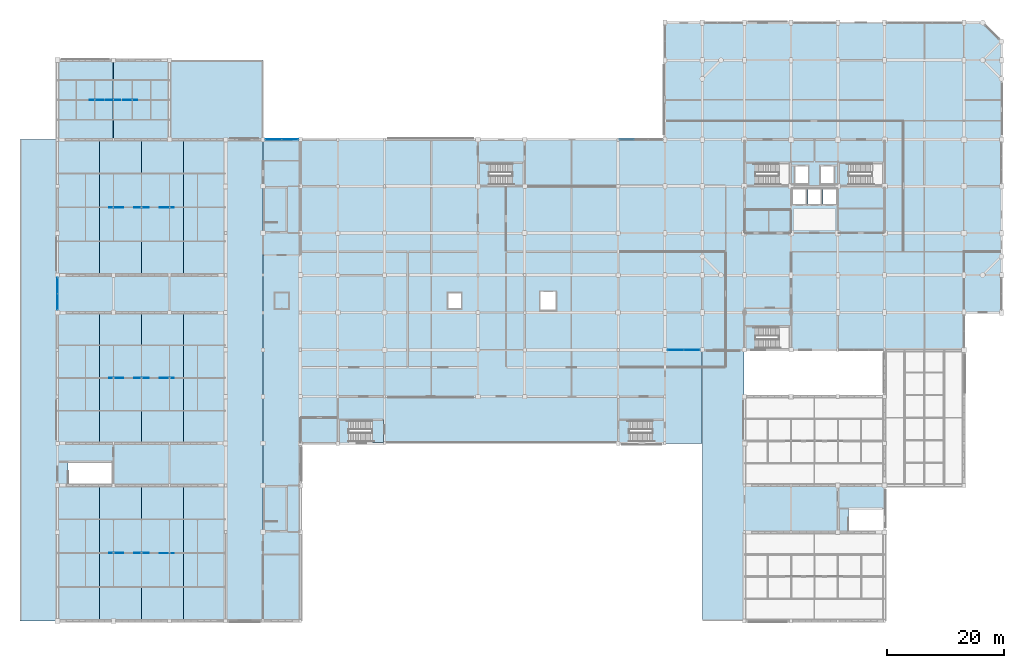
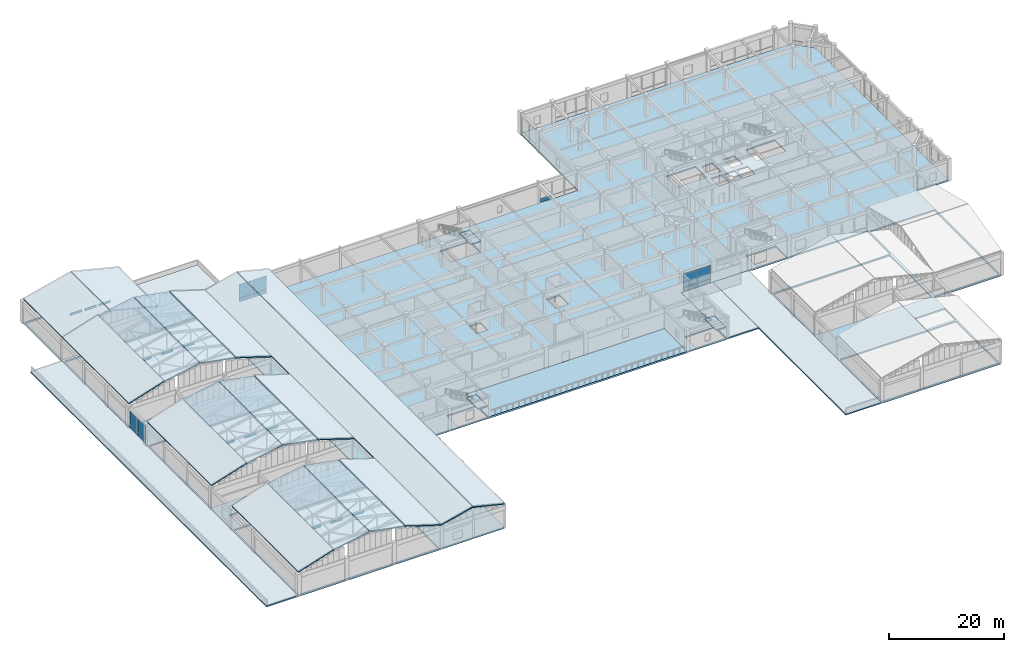
# One storey, part 37 of 61: 25 plates, 25 slabs, 7 elements without a shape of their own.
"""IFC4 building model written with IfcOpenShell, lengths in metres."""

import ifcopenshell
import ifcopenshell.guid

model = None  # the IFC model being written
_history = None  # IfcOwnerHistory: only IFC2X3 demands one
_inside = {}  # id of a spatial element -> (the spatial element, [elements in it])
_under = {}  # id of a project, library or spatial element -> (it, [spatial elements below it])
_declared = {}  # id of a project -> (the project, [libraries it declares])
_typed = {}  # id of a type object -> (the type object, [elements of that type])
_made_of = {}  # id of a material, layer set ... -> (it, [elements and type objects made of it])


def new_model(schema):
    """Start an empty IFC model of exactly this schema.

    Asked for "IFC4X3", IfcOpenShell would pick the latest addendum, in which some entities
    have other attributes; the version numbers below select the first issue.
    IFC2X3 requires an IfcOwnerHistory on every rooted entity: one is made here for all.
    """
    global model, _history
    if schema == "IFC4X3":
        model = ifcopenshell.file(schema_version=(4, 3, 0, 0))
    else:
        model = ifcopenshell.file(schema=schema)
    _inside.clear()
    _under.clear()
    _declared.clear()
    _typed.clear()
    _made_of.clear()
    _history = None
    if model.schema == "IFC2X3":
        org = make("IfcOrganization", Name="unknown")
        user = make(
            "IfcPersonAndOrganization",
            ThePerson=make("IfcPerson", FamilyName="unknown"),
            TheOrganization=org,
        )
        app = make(
            "IfcApplication",
            ApplicationDeveloper=org,
            Version="unknown",
            ApplicationFullName="unknown",
            ApplicationIdentifier="unknown",
        )
        _history = make(
            "IfcOwnerHistory",
            OwningUser=user,
            OwningApplication=app,
            ChangeAction="ADDED",
            CreationDate=0,
        )
    return model


def make(cls, **values):
    """One entity of the class cls with the attributes given. An attribute that is None is left unset."""
    return model.create_entity(
        cls, **{name: value for name, value in values.items() if value is not None}
    )


def rooted(cls, **values):
    """An entity with a GlobalId (a new one), such as an element, a storey or a relation."""
    return make(cls, GlobalId=ifcopenshell.guid.new(), OwnerHistory=_history, **values)


def si_unit(unit_type, name, prefix=None):
    """IfcSIUnit, for example si_unit("LENGTHUNIT", "METRE", prefix="MILLI")."""
    return make("IfcSIUnit", UnitType=unit_type, Prefix=prefix, Name=name)


def assignment(units):
    """IfcUnitAssignment: the units of a project."""
    return None if units is None else make("IfcUnitAssignment", Units=units)


def point(xyz):
    """IfcCartesianPoint."""
    return None if xyz is None else make("IfcCartesianPoint", Coordinates=xyz)


def direction(xyz):
    """IfcDirection."""
    return None if xyz is None else make("IfcDirection", DirectionRatios=xyz)


def frame(location, z_axis=None, x_axis=None):
    """IfcAxis2Placement3D, a coordinate frame: its origin and axes. An axis left out is left unset."""
    return make(
        "IfcAxis2Placement3D",
        Location=point(location),
        Axis=direction(z_axis),
        RefDirection=direction(x_axis),
    )


def frame_2d(location, x_axis=None):
    """IfcAxis2Placement2D, a coordinate frame in the plane: its origin and x axis."""
    return make(
        "IfcAxis2Placement2D", Location=point(location), RefDirection=direction(x_axis)
    )


def origin():
    """The frame at (0, 0, 0) with its axes left unset."""
    return frame((0.0, 0.0, 0.0))


def origin_2d():
    """The frame at (0, 0) in the plane with its x axis left unset."""
    return frame_2d((0.0, 0.0))


def place(relative_to, where):
    """IfcLocalPlacement: puts the frame where relative to a parent placement (None: the world)."""
    return make(
        "IfcLocalPlacement", PlacementRelTo=relative_to, RelativePlacement=where
    )


def context(
    kind, dimensions, precision=None, world=None, true_north=None, identifier=None
):
    """IfcGeometricRepresentationContext, for example the 3D "Model" context."""
    return make(
        "IfcGeometricRepresentationContext",
        ContextIdentifier=identifier,
        ContextType=kind,
        CoordinateSpaceDimension=dimensions,
        Precision=precision,
        WorldCoordinateSystem=world,
        TrueNorth=true_north,
    )


def subcontext(parent, identifier, kind, view, scale=None):
    """IfcGeometricRepresentationSubContext, for example "Body" below "Model"."""
    return make(
        "IfcGeometricRepresentationSubContext",
        ContextIdentifier=identifier,
        ContextType=kind,
        ParentContext=parent,
        TargetScale=scale,
        TargetView=view,
    )


def project(units=None, contexts=None):
    """IfcProject with its units and contexts."""
    return rooted(
        "IfcProject",
        Name="project",
        RepresentationContexts=contexts,
        UnitsInContext=assignment(units),
    )


def spatial(cls, under=None, at=None, **own):
    """A site, building, storey or space (cls), placed at a placement, below another one or the project."""
    s = rooted(cls, ObjectPlacement=at, **own)
    if under is not None:
        _under.setdefault(under.id(), (under, []))[1].append(s)
    return s


def polyline(points):
    """IfcPolyline through the points."""
    return make("IfcPolyline", Points=[point(p) for p in points])


def profile(cls, at=None, kind="AREA", **sizes):
    """A parametric profile (cls). Its sizes go by their IFC names, for example OverallWidth=200.0."""
    return make(cls, ProfileType=kind, Position=at, **sizes)


def rectangle(**sizes):
    """IfcRectangleProfileDef."""
    return profile("IfcRectangleProfileDef", **sizes)


def outline(outer, holes=None, kind="AREA"):
    """IfcArbitraryClosedProfileDef: a profile drawn as a closed curve; with holes, ...WithVoids."""
    if holes is None:
        return make("IfcArbitraryClosedProfileDef", ProfileType=kind, OuterCurve=outer)
    return make(
        "IfcArbitraryProfileDefWithVoids",
        ProfileType=kind,
        OuterCurve=outer,
        InnerCurves=holes,
    )


def extrude(swept, where, along, depth):
    """IfcExtrudedAreaSolid: the profile swept, set in the frame where, extruded along a direction by depth."""
    return make(
        "IfcExtrudedAreaSolid",
        SweptArea=swept,
        Position=where,
        ExtrudedDirection=direction(along),
        Depth=depth,
    )


def shape(context_of_items, identifier, shape_type, items):
    """IfcShapeRepresentation: the items that make up one representation, for example the "Body"."""
    return make(
        "IfcShapeRepresentation",
        ContextOfItems=context_of_items,
        RepresentationIdentifier=identifier,
        RepresentationType=shape_type,
        Items=items,
    )


def material(Name=None, Category=None):
    """IfcMaterial."""
    return make("IfcMaterial", Name=Name, Category=Category)


def layer(
    of_material, thickness, ventilated=None, Name=None, Category=None, Priority=None
):
    """IfcMaterialLayer: one layer of a wall or slab, of a material (None: an air gap)."""
    return make(
        "IfcMaterialLayer",
        Material=of_material,
        LayerThickness=thickness,
        IsVentilated=ventilated,
        Name=Name,
        Category=Category,
        Priority=Priority,
    )


def layer_set(layers, Name=None):
    """IfcMaterialLayerSet."""
    return make("IfcMaterialLayerSet", MaterialLayers=layers, LayerSetName=Name)


def made_of(thing, what):
    """Note that an element or type object is made of a material, layer set ...; save() writes the relation."""
    if what is not None:
        _made_of.setdefault(what.id(), (what, []))[1].append(thing)
    return thing


def type_object(cls, material=None, **own):
    """A type object (cls), such as IfcWallType, which elements share."""
    return made_of(rooted(cls, **own), material)


def element(
    cls,
    number,
    at=None,
    inside=None,
    cuts=None,
    type_object=None,
    material=None,
    context=None,
    identifier="Body",
    shape_type=None,
    held_by="IfcProductDefinitionShape",
    body=None,
    shapes=None,
    **own,
):
    """One element of the class cls, such as IfcWall. Its Tag is "e" and its number.

    at: its placement. inside: the storey or other place that contains it. cuts: it is an
    opening in that element (IfcRelVoidsElement). A single representation is given by context,
    identifier, shape_type and body (its items); several are given by shapes. held_by: the class
    of the entity that holds the representations. save() writes the other relations.
    """
    e = rooted(cls, Tag="e%d" % number, ObjectPlacement=at, **own)
    if body is not None:
        shapes = [shape(context, identifier, shape_type, body)]
    if shapes is not None:
        e.Representation = make(held_by, Representations=shapes)
    if inside is not None:
        _inside.setdefault(inside.id(), (inside, []))[1].append(e)
    if cuts is not None:
        rooted(
            "IfcRelVoidsElement", RelatingBuildingElement=cuts, RelatedOpeningElement=e
        )
    if type_object is not None:
        _typed.setdefault(type_object.id(), (type_object, []))[1].append(e)
    return made_of(e, material)


def aggregate(whole, parts):
    """IfcRelAggregates: a whole, such as a stair, and the parts it consists of."""
    return rooted("IfcRelAggregates", RelatingObject=whole, RelatedObjects=parts)


def save(model, path):
    """Write the relations noted so far, then the file.

    IfcRelAggregates (storeys below a building ...), IfcRelContainedInSpatialStructure (elements
    in a storey), IfcRelDefinesByType, IfcRelAssociatesMaterial and IfcRelDeclares: one each for
    every whole, place, type object, material and project.
    """
    for whole, parts in _under.values():
        aggregate(whole, parts)
    for where, things in _inside.values():
        rooted(
            "IfcRelContainedInSpatialStructure",
            RelatedElements=things,
            RelatingStructure=where,
        )
    for kind, things in _typed.values():
        rooted("IfcRelDefinesByType", RelatedObjects=things, RelatingType=kind)
    for what, things in _made_of.values():
        rooted("IfcRelAssociatesMaterial", RelatedObjects=things, RelatingMaterial=what)
    for by, libraries in _declared.values():
        rooted("IfcRelDeclares", RelatingContext=by, RelatedDefinitions=libraries)
    model.write(path)


model = new_model("IFC4")

# Units and contexts
model_context = context("Model", 3, precision=1e-05, world=origin(), true_north=direction((0.0, 1.0)))
body_context = subcontext(model_context, "Body", "Model", "MODEL_VIEW")
ifc_project = project(units=[si_unit("LENGTHUNIT", "METRE"), si_unit("AREAUNIT", "SQUARE_METRE"), si_unit("VOLUMEUNIT", "CUBIC_METRE"), si_unit("PLANEANGLEUNIT", "RADIAN"), si_unit("MASSUNIT", "GRAM", prefix="KILO")], contexts=[model_context])

# Site, building, storey
site_placement = place(None, origin())
site = spatial("IfcSite", under=ifc_project, at=site_placement, CompositionType="ELEMENT")
building_placement = place(site_placement, origin())
building = spatial("IfcBuilding", under=site, at=building_placement, Name="Vellmiral Cinema and Media Centre", CompositionType="ELEMENT")
storey_placement = place(building_placement, frame((0.0, 0.0, 10.800048828125)))
storey = spatial("IfcBuildingStorey", under=building, at=storey_placement, Name="L02", CompositionType="ELEMENT", Elevation=10.800048828125)

# Curtain wall, plates
ifc_material_1 = material(Name="Thermally Broken Aluminium and Triple Glazing", Category="aluminium")
curtain_wall_type_1 = type_object("IfcCurtainWallType", Name="CW-LIB-BAY", PredefinedType="USERDEFINED", material=ifc_material_1)
curtain_wall_1_placement = place(storey_placement, origin())
curtain_wall_1 = element("IfcCurtainWall", 1, at=curtain_wall_1_placement, inside=storey, type_object=curtain_wall_type_1, Name="Curtain Wall L02-B067", ObjectType="STICK CURTAIN WALL", PredefinedType="USERDEFINED")
ifc_material_2 = material(Name="Laminated Studio Acoustic Glazing", Category="glass")
ifc_layer_1 = layer(ifc_material_2, 0.0439453125, Name="Laminated Studio Acoustic Glazing")
ifc_layer_set_1 = layer_set([ifc_layer_1], Name="Laminated Studio Acoustic Glazing")
plate_type_1 = type_object("IfcPlateType", Name="CWP-ACOUST-44", PredefinedType="CURTAIN_PANEL", material=ifc_layer_set_1)
plate_1_placement = place(storey_placement, frame((46.232421875, 95.199951171875, 0.93505859375), z_axis=(0.0, 0.0, 1.0), x_axis=(-1.0, 0.0, 0.0)))
plate_1 = element("IfcPlate", 2, at=plate_1_placement, type_object=plate_type_1, Name="CW-03 panel 1.2", PredefinedType="CURTAIN_PANEL", context=body_context, shape_type="SweptSolid", body=[
    extrude(rectangle(XDim=2.7451171875, YDim=0.0439453125, at=origin_2d()), origin(), (0.0, 0.0, 1.0), 2.885009765625),
])
plate_2_placement = place(storey_placement, frame((43.41748046875, 95.199951171875, 0.93505859375), z_axis=(0.0, 0.0, 1.0), x_axis=(-1.0, 0.0, 0.0)))
plate_2 = element("IfcPlate", 3, at=plate_2_placement, type_object=plate_type_1, Name="CW-03 panel 2.2", PredefinedType="CURTAIN_PANEL", context=body_context, shape_type="SweptSolid", body=[
    extrude(rectangle(XDim=2.7451171875, YDim=0.0439453125, at=origin_2d()), origin(), (0.0, 0.0, 1.0), 2.885009765625),
])

curtain_wall_2_placement = place(storey_placement, origin())
curtain_wall_2 = element("IfcCurtainWall", 4, at=curtain_wall_2_placement, inside=storey, type_object=curtain_wall_type_1, Name="Curtain Wall L02-B077", ObjectType="STICK CURTAIN WALL", PredefinedType="USERDEFINED")
plate_3_placement = place(storey_placement, frame((6.39990234375, 70.188720703125, 0.93505859375), z_axis=(0.0, 0.0, 1.0), x_axis=(0.0, -1.0, 0.0)))
plate_3 = element("IfcPlate", 5, at=plate_3_placement, type_object=plate_type_1, Name="CW-03 panel 1.2", PredefinedType="CURTAIN_PANEL", context=body_context, shape_type="SweptSolid", body=[
    extrude(rectangle(XDim=2.6826171875, YDim=0.0439453125, at=origin_2d()), origin(), (0.0, 0.0, 1.0), 2.89501953125),
])
plate_4_placement = place(storey_placement, frame((6.39990234375, 67.436279296875, 0.93505859375), z_axis=(0.0, 0.0, 1.0), x_axis=(0.0, -1.0, 0.0)))
plate_4 = element("IfcPlate", 6, at=plate_4_placement, type_object=plate_type_1, Name="CW-03 panel 2.2", PredefinedType="CURTAIN_PANEL", context=body_context, shape_type="SweptSolid", body=[
    extrude(rectangle(XDim=2.6826171875, YDim=0.0439453125, at=origin_2d()), origin(), (0.0, 0.0, 1.0), 2.89501953125),
])

# Curtain wall, plate
curtain_wall_3_placement = place(storey_placement, origin())
curtain_wall_3 = element("IfcCurtainWall", 7, at=curtain_wall_3_placement, inside=storey, type_object=curtain_wall_type_1, Name="Curtain Wall L02-B061", ObjectType="STICK CURTAIN WALL", PredefinedType="USERDEFINED")
ifc_material_3 = material(Name="Honed Vosges Sandstone Spandrel Panel", Category="masonry")
ifc_layer_2 = layer(ifc_material_3, 0.06005859375, Name="Honed Vosges Sandstone Spandrel Panel")
ifc_layer_set_2 = layer_set([ifc_layer_2], Name="Honed Vosges Sandstone Spandrel Panel")
plate_type_2 = type_object("IfcPlateType", Name="CWP-SAND-60", PredefinedType="CURTAIN_PANEL", material=ifc_layer_set_2)
plate_5_placement = place(storey_placement, frame((103.859130859375, 95.199951171875, 0.070068359375), z_axis=(0.0, 0.0, 1.0), x_axis=(-1.0, 0.0, 0.0)))
plate_5 = element("IfcPlate", 8, at=plate_5_placement, type_object=plate_type_2, Name="CW-03 panel 3.1", PredefinedType="CURTAIN_PANEL", context=body_context, shape_type="SweptSolid", body=[
    extrude(rectangle(XDim=2.37841796875, YDim=0.06005859375, at=origin_2d()), origin(), (0.0, 0.0, 1.0), 0.794921875),
])
aggregate(curtain_wall_3, [plate_5])

# Plate
plate_6_placement = place(storey_placement, frame((46.232421875, 95.199951171875, 0.070068359375), z_axis=(0.0, 0.0, 1.0), x_axis=(-1.0, 0.0, 0.0)))
plate_6 = element("IfcPlate", 9, at=plate_6_placement, type_object=plate_type_2, Name="CW-03 panel 1.1", PredefinedType="CURTAIN_PANEL", context=body_context, shape_type="SweptSolid", body=[
    extrude(rectangle(XDim=2.7451171875, YDim=0.06005859375, at=origin_2d()), origin(), (0.0, 0.0, 1.0), 0.794921875),
])

plate_7_placement = place(storey_placement, frame((43.41748046875, 95.199951171875, 0.070068359375), z_axis=(0.0, 0.0, 1.0), x_axis=(-1.0, 0.0, 0.0)))
plate_7 = element("IfcPlate", 10, at=plate_7_placement, type_object=plate_type_2, Name="CW-03 panel 2.1", PredefinedType="CURTAIN_PANEL", context=body_context, shape_type="SweptSolid", body=[
    extrude(rectangle(XDim=2.7451171875, YDim=0.06005859375, at=origin_2d()), origin(), (0.0, 0.0, 1.0), 0.794921875),
])

aggregate(curtain_wall_1, [plate_6, plate_1, plate_7, plate_2])

plate_8_placement = place(storey_placement, frame((6.39990234375, 70.188720703125, 0.070068359375), z_axis=(0.0, 0.0, 1.0), x_axis=(0.0, -1.0, 0.0)))
plate_8 = element("IfcPlate", 11, at=plate_8_placement, type_object=plate_type_2, Name="CW-03 panel 1.1", PredefinedType="CURTAIN_PANEL", context=body_context, shape_type="SweptSolid", body=[
    extrude(rectangle(XDim=2.6826171875, YDim=0.06005859375, at=origin_2d()), origin(), (0.0, 0.0, 1.0), 0.794921875),
])

plate_9_placement = place(storey_placement, frame((6.39990234375, 67.436279296875, 0.070068359375), z_axis=(0.0, 0.0, 1.0), x_axis=(0.0, -1.0, 0.0)))
plate_9 = element("IfcPlate", 12, at=plate_9_placement, type_object=plate_type_2, Name="CW-03 panel 2.1", PredefinedType="CURTAIN_PANEL", context=body_context, shape_type="SweptSolid", body=[
    extrude(rectangle(XDim=2.6826171875, YDim=0.06005859375, at=origin_2d()), origin(), (0.0, 0.0, 1.0), 0.794921875),
])

aggregate(curtain_wall_2, [plate_8, plate_3, plate_9, plate_4])

# Curtain wall, plates
ifc_material_4 = material(Name="Thermally Broken Aluminium and Triple Glazing", Category="aluminium")
curtain_wall_type_2 = type_object("IfcCurtainWallType", Name="CW-POD-GALLERY", PredefinedType="USERDEFINED", material=ifc_material_4)
curtain_wall_4_placement = place(storey_placement, origin())
curtain_wall_4 = element("IfcCurtainWall", 13, at=curtain_wall_4_placement, inside=storey, type_object=curtain_wall_type_2, Name="Curtain Wall L02-B019", ObjectType="STICK CURTAIN WALL", PredefinedType="USERDEFINED")
ifc_material_5 = material(Name="Polychrome Trencadis Ceramic Spandrel Panel", Category="ceramic")
ifc_layer_3 = layer(ifc_material_5, 0.052001953125, Name="Polychrome Trencadis Ceramic Spandrel Panel")
ifc_layer_set_3 = layer_set([ifc_layer_3], Name="Polychrome Trencadis Ceramic Spandrel Panel")
plate_type_3 = type_object("IfcPlateType", Name="CWP-TRENC-52", PredefinedType="CURTAIN_PANEL", material=ifc_layer_set_3)
plate_10_placement = place(storey_placement, frame((112.236328125, 59.199951171875, 0.070068359375), z_axis=(0.0, 0.0, 1.0), x_axis=(1.0, 0.0, 0.0)))
plate_10 = element("IfcPlate", 14, at=plate_10_placement, type_object=plate_type_3, Name="CW-04 panel 1.1", PredefinedType="CURTAIN_PANEL", context=body_context, shape_type="SweptSolid", body=[
    extrude(rectangle(XDim=2.6826171875, YDim=0.052001953125, at=origin_2d()), origin(), (0.0, 0.0, 1.0), 0.794921875),
])
plate_11_placement = place(storey_placement, frame((114.98876953125, 59.199951171875, 0.070068359375), z_axis=(0.0, 0.0, 1.0), x_axis=(1.0, 0.0, 0.0)))
plate_11 = element("IfcPlate", 15, at=plate_11_placement, type_object=plate_type_3, Name="CW-04 panel 2.1", PredefinedType="CURTAIN_PANEL", context=body_context, shape_type="SweptSolid", body=[
    extrude(rectangle(XDim=2.6826171875, YDim=0.052001953125, at=origin_2d()), origin(), (0.0, 0.0, 1.0), 0.794921875),
])
ifc_material_6 = material(Name="Triple Low-E Vision Glazing", Category="glass")
ifc_layer_4 = layer(ifc_material_6, 0.0380859375, Name="Triple Low-E Vision Glazing")
ifc_layer_set_4 = layer_set([ifc_layer_4], Name="Triple Low-E Vision Glazing")
plate_type_4 = type_object("IfcPlateType", Name="CWP-VISION-38", PredefinedType="CURTAIN_PANEL", material=ifc_layer_set_4)
plate_12_placement = place(storey_placement, frame((112.236328125, 59.199951171875, 0.93505859375), z_axis=(0.0, 0.0, 1.0), x_axis=(1.0, 0.0, 0.0)))
plate_12 = element("IfcPlate", 16, at=plate_12_placement, type_object=plate_type_4, Name="CW-04 panel 1.2", PredefinedType="CURTAIN_PANEL", context=body_context, shape_type="SweptSolid", body=[
    extrude(rectangle(XDim=2.6826171875, YDim=0.0380859375, at=origin_2d()), origin(), (0.0, 0.0, 1.0), 2.89501953125),
])
plate_13_placement = place(storey_placement, frame((114.98876953125, 59.199951171875, 0.93505859375), z_axis=(0.0, 0.0, 1.0), x_axis=(1.0, 0.0, 0.0)))
plate_13 = element("IfcPlate", 17, at=plate_13_placement, type_object=plate_type_4, Name="CW-04 panel 2.2", PredefinedType="CURTAIN_PANEL", context=body_context, shape_type="SweptSolid", body=[
    extrude(rectangle(XDim=2.6826171875, YDim=0.0380859375, at=origin_2d()), origin(), (0.0, 0.0, 1.0), 2.89501953125),
])
aggregate(curtain_wall_4, [plate_10, plate_12, plate_11, plate_13])

# Plates
ifc_material_7 = material(Name="Steel S355", Category="steel")
ifc_layer_5 = layer(ifc_material_7, 0.048095703125, Name="Steel S355")
ifc_layer_set_5 = layer_set([ifc_layer_5], Name="Steel S355")
plate_type_5 = type_object("IfcPlateType", Name="PLT-BAFFLE-48", PredefinedType="SHEET", material=ifc_layer_set_5)
for number, where, z_axis, x_axis, name in (
    (18, (25.1201171875, 24.39990234375, 3.58984375), (0.0, 0.0, 1.0), (1.0, 0.0, 0.0), "Acoustic Truss Baffle Plate 03"),
    (19, (25.1201171875, 54.39990234375, 3.58984375), (0.0, 0.0, 1.0), (1.0, 0.0, 0.0), "Acoustic Truss Baffle Plate 06"),
    (20, (25.1201171875, 83.60009765625, 3.58984375), (0.0, 0.0, 1.0), (1.0, 0.0, 0.0), "Acoustic Truss Baffle Plate 09"),
    (21, (18.8798828125, 102.0, 3.58984375), (0.0, 0.0, 1.0), (1.0, 0.0, 0.0), "Acoustic Truss Baffle Plate 12"),
):
    element("IfcPlate", number, at=place(storey_placement, frame(where, z_axis=z_axis, x_axis=x_axis)), inside=storey, type_object=plate_type_5, Name=name, PredefinedType="SHEET", context=body_context, shape_type="SweptSolid", body=[
        extrude(rectangle(XDim=2.39990234375, YDim=0.048095703125, at=origin_2d()), origin(), (0.0, 0.0, 1.0), 0.52001953125),
    ])
ifc_material_8 = material(Name="Steel S355", Category="steel")
ifc_layer_6 = layer(ifc_material_8, 0.06396484375, Name="Steel S355")
ifc_layer_set_6 = layer_set([ifc_layer_6], Name="Steel S355")
plate_type_6 = type_object("IfcPlateType", Name="PLT-BAFFLE-64", PredefinedType="SHEET", material=ifc_layer_set_6)
for number, where, z_axis, x_axis, name in (
    (22, (16.47998046875, 24.39990234375, 3.58984375), (0.0, 0.0, 1.0), (1.0, 0.0, 0.0), "Acoustic Truss Baffle Plate 01"),
    (23, (16.47998046875, 54.39990234375, 3.58984375), (0.0, 0.0, 1.0), (1.0, 0.0, 0.0), "Acoustic Truss Baffle Plate 04"),
    (24, (16.47998046875, 83.60009765625, 3.58984375), (0.0, 0.0, 1.0), (1.0, 0.0, 0.0), "Acoustic Truss Baffle Plate 07"),
    (25, (13.1201171875, 102.0, 3.58984375), (0.0, 0.0, 1.0), (1.0, 0.0, 0.0), "Acoustic Truss Baffle Plate 10"),
):
    element("IfcPlate", number, at=place(storey_placement, frame(where, z_axis=z_axis, x_axis=x_axis)), inside=storey, type_object=plate_type_6, Name=name, PredefinedType="SHEET", context=body_context, shape_type="SweptSolid", body=[
        extrude(rectangle(XDim=2.39990234375, YDim=0.06396484375, at=origin_2d()), origin(), (0.0, 0.0, 1.0), 0.52001953125),
    ])
ifc_material_9 = material(Name="Steel S355", Category="steel")
ifc_layer_7 = layer(ifc_material_9, 0.080078125, Name="Steel S355")
ifc_layer_set_7 = layer_set([ifc_layer_7], Name="Steel S355")
plate_type_7 = type_object("IfcPlateType", Name="PLT-BAFFLE-80", PredefinedType="SHEET", material=ifc_layer_set_7)
for number, where, z_axis, x_axis, name in (
    (26, (20.800048828125, 24.39990234375, 3.58984375), (0.0, 0.0, 1.0), (1.0, 0.0, 0.0), "Acoustic Truss Baffle Plate 02"),
    (27, (20.800048828125, 54.39990234375, 3.58984375), (0.0, 0.0, 1.0), (1.0, 0.0, 0.0), "Acoustic Truss Baffle Plate 05"),
    (28, (20.800048828125, 83.60009765625, 3.58984375), (0.0, 0.0, 1.0), (1.0, 0.0, 0.0), "Acoustic Truss Baffle Plate 08"),
    (29, (16.0, 102.0, 3.58984375), (0.0, 0.0, 1.0), (1.0, 0.0, 0.0), "Acoustic Truss Baffle Plate 11"),
):
    element("IfcPlate", number, at=place(storey_placement, frame(where, z_axis=z_axis, x_axis=x_axis)), inside=storey, type_object=plate_type_7, Name=name, PredefinedType="SHEET", context=body_context, shape_type="SweptSolid", body=[
        extrude(rectangle(XDim=2.39990234375, YDim=0.080078125, at=origin_2d()), origin(), (0.0, 0.0, 1.0), 0.52001953125),
    ])

# Slabs
ifc_material_10 = material(Name="Concrete C40/50", Category="concrete")
ifc_layer_8 = layer(ifc_material_10, 0.300048828125, Name="Concrete C40/50")
ifc_layer_set_8 = layer_set([ifc_layer_8], Name="Concrete C40/50")
slab_type_1 = type_object("IfcSlabType", Name="SLB-FLR-300", PredefinedType="FLOOR", material=ifc_layer_set_8)
slab_1_placement = place(storey_placement, frame((0.0, 0.0, -0.300048828125)))
element("IfcSlab", 30, at=slab_1_placement, inside=storey, type_object=slab_type_1, Name="L02 Structural Slab", PredefinedType="FLOOR", context=body_context, shape_type="SweptSolid", body=[
    extrude(outline(polyline([(6.39990234375, 12.800048828125), (48.0, 12.800048828125), (48.0, 43.199951171875), (62.39990234375, 43.199951171875), (62.39990234375, 51.199951171875), (102.39990234375, 51.199951171875), (102.39990234375, 43.199951171875), (110.39990234375, 43.199951171875), (110.39990234375, 59.199951171875), (148.0, 59.199951171875), (148.0, 51.199951171875), (124.0, 51.199951171875), (124.0, 12.800048828125), (148.0, 12.800048828125), (148.0, 36.0), (161.60009765625, 36.0), (161.60009765625, 65.60009765625), (168.0, 65.60009765625), (168.0, 112.0), (164.800048828125, 115.199951171875), (110.39990234375, 115.199951171875), (110.39990234375, 95.199951171875), (25.60009765625, 95.199951171875), (25.60009765625, 108.800048828125), (6.39990234375, 108.800048828125), (6.39990234375, 12.800048828125)]), holes=[polyline([(41.780029296875, 29.85009765625), (45.6201171875, 29.85009765625), (45.6201171875, 35.820068359375), (41.780029296875, 35.820068359375), (41.780029296875, 29.85009765625)]), polyline([(41.780029296875, 81.050048828125), (45.6201171875, 81.050048828125), (45.6201171875, 87.02001953125), (41.780029296875, 87.02001953125), (41.780029296875, 81.050048828125)]), polyline([(56.25, 43.3798828125), (62.219970703125, 43.3798828125), (62.219970703125, 47.219970703125), (56.25, 47.219970703125), (56.25, 43.3798828125)]), polyline([(104.25, 43.3798828125), (110.219970703125, 43.3798828125), (110.219970703125, 47.219970703125), (104.25, 47.219970703125), (104.25, 43.3798828125)]), polyline([(80.25, 87.3798828125), (86.219970703125, 87.3798828125), (86.219970703125, 91.219970703125), (80.25, 91.219970703125), (80.25, 87.3798828125)]), polyline([(125.85009765625, 59.3798828125), (131.820068359375, 59.3798828125), (131.820068359375, 63.219970703125), (125.85009765625, 63.219970703125), (125.85009765625, 59.3798828125)]), polyline([(8.25, 36.179931640625), (15.820068359375, 36.179931640625), (15.820068359375, 40.02001953125), (8.25, 40.02001953125), (8.25, 36.179931640625)]), polyline([(141.85009765625, 28.179931640625), (147.820068359375, 28.179931640625), (147.820068359375, 32.02001953125), (141.85009765625, 32.02001953125), (141.85009765625, 28.179931640625)]), polyline([(125.85009765625, 87.3798828125), (131.820068359375, 87.3798828125), (131.820068359375, 91.219970703125), (125.85009765625, 91.219970703125), (125.85009765625, 87.3798828125)]), polyline([(141.85009765625, 87.3798828125), (147.820068359375, 87.3798828125), (147.820068359375, 91.219970703125), (141.85009765625, 91.219970703125), (141.85009765625, 87.3798828125)]), polyline([(132.699951171875, 87.75), (134.89990234375, 87.75), (134.89990234375, 90.64990234375), (132.699951171875, 90.64990234375), (132.699951171875, 87.75)]), polyline([(137.10009765625, 87.75), (139.300048828125, 87.75), (139.300048828125, 90.64990234375), (137.10009765625, 90.64990234375), (137.10009765625, 87.75)]), polyline([(132.300048828125, 84.10009765625), (134.5, 84.10009765625), (134.5, 86.699951171875), (132.300048828125, 86.699951171875), (132.300048828125, 84.10009765625)]), polyline([(134.89990234375, 84.10009765625), (137.10009765625, 84.10009765625), (137.10009765625, 86.699951171875), (134.89990234375, 86.699951171875), (134.89990234375, 84.10009765625)]), polyline([(137.5, 84.10009765625), (139.699951171875, 84.10009765625), (139.699951171875, 86.699951171875), (137.5, 86.699951171875), (137.5, 84.10009765625)]), polyline([(43.699951171875, 66.300048828125), (45.89990234375, 66.300048828125), (45.89990234375, 68.89990234375), (43.699951171875, 68.89990234375), (43.699951171875, 66.300048828125)]), polyline([(73.300048828125, 66.300048828125), (75.5, 66.300048828125), (75.5, 68.89990234375), (73.300048828125, 68.89990234375), (73.300048828125, 66.300048828125)]), polyline([(89.10009765625, 66.050048828125), (91.699951171875, 66.050048828125), (91.699951171875, 69.14990234375), (89.10009765625, 69.14990234375), (89.10009765625, 66.050048828125)]), polyline([(6.699951171875, 13.10009765625), (34.89990234375, 13.10009765625), (34.89990234375, 35.699951171875), (6.699951171875, 35.699951171875), (6.699951171875, 13.10009765625)]), polyline([(6.699951171875, 43.5), (34.89990234375, 43.5), (34.89990234375, 65.300048828125), (6.699951171875, 65.300048828125), (6.699951171875, 43.5)]), polyline([(6.699951171875, 72.300048828125), (34.89990234375, 72.300048828125), (34.89990234375, 94.89990234375), (6.699951171875, 94.89990234375), (6.699951171875, 72.300048828125)]), polyline([(6.699951171875, 95.5), (25.300048828125, 95.5), (25.300048828125, 108.5), (6.699951171875, 108.5), (6.699951171875, 95.5)]), polyline([(124.300048828125, 13.10009765625), (147.699951171875, 13.10009765625), (147.699951171875, 27.699951171875), (124.300048828125, 27.699951171875), (124.300048828125, 13.10009765625)]), polyline([(124.300048828125, 36.300048828125), (147.699951171875, 36.300048828125), (147.699951171875, 50.89990234375), (124.300048828125, 50.89990234375), (124.300048828125, 36.300048828125)]), polyline([(148.300048828125, 36.300048828125), (161.300048828125, 36.300048828125), (161.300048828125, 58.89990234375), (148.300048828125, 58.89990234375), (148.300048828125, 36.300048828125)])]), origin(), (0.0, 0.0, 1.0), 0.300048828125),
])
ifc_material_11 = material(Name="Concrete C40/50", Category="concrete")
ifc_layer_9 = layer(ifc_material_11, 0.360107421875, Name="Concrete C40/50")
ifc_layer_set_9 = layer_set([ifc_layer_9], Name="Concrete C40/50")
slab_type_2 = type_object("IfcSlabType", Name="SLB-FLR-360", PredefinedType="FLOOR", material=ifc_layer_set_9)
slab_2_placement = place(storey_placement, frame((0.0, 0.0, -0.360107421875)))
element("IfcSlab", 31, at=slab_2_placement, inside=storey, type_object=slab_type_2, Name="Promenade Courtyard Terrace", PredefinedType="FLOOR", context=body_context, shape_type="SweptSolid", body=[
    extrude(outline(polyline([(62.39990234375, 43.199951171875), (102.39990234375, 43.199951171875), (102.39990234375, 51.199951171875), (62.39990234375, 51.199951171875), (62.39990234375, 43.199951171875)])), origin(), (0.0, 0.0, 1.0), 0.360107421875),
])

# Stair, slab
ifc_material_12 = material(Name="Concrete C40/50", Category="concrete")
stair_type = type_object("IfcStairType", Name="ST-2RET-480", PredefinedType="HALF_TURN_STAIR", material=ifc_material_12)
stair_1_placement = place(storey_placement, origin())
stair_1 = element("IfcStair", 32, at=stair_1_placement, inside=storey, type_object=stair_type, Name="Protected Escape Stair ST-P3 (L02)", PredefinedType="HALF_TURN_STAIR")
ifc_material_13 = material(Name="Concrete C40/50", Category="concrete")
ifc_layer_10 = layer(ifc_material_13, 0.219970703125, Name="Concrete C40/50")
ifc_layer_set_10 = layer_set([ifc_layer_10], Name="Concrete C40/50")
slab_type_3 = type_object("IfcSlabType", Name="SLB-LAND-220", PredefinedType="LANDING", material=ifc_layer_set_10)
slab_3_placement = place(storey_placement, frame((0.0, 0.0, 2.179931640625)))
slab_3 = element("IfcSlab", 33, at=slab_3_placement, type_object=slab_type_3, Name="ST-P3 landing 1", PredefinedType="LANDING", context=body_context, shape_type="SweptSolid", body=[
    extrude(outline(polyline([(60.31005859375, 43.3798828125), (62.219970703125, 43.3798828125), (62.219970703125, 47.219970703125), (60.31005859375, 47.219970703125), (60.31005859375, 43.3798828125)])), origin(), (0.0, 0.0, 1.0), 0.219970703125),
])
aggregate(stair_1, [slab_3])

stair_2_placement = place(storey_placement, origin())
stair_2 = element("IfcStair", 34, at=stair_2_placement, inside=storey, type_object=stair_type, Name="Protected Escape Stair ST-P4 (L02)", PredefinedType="HALF_TURN_STAIR")
slab_4_placement = place(storey_placement, frame((0.0, 0.0, 2.179931640625)))
slab_4 = element("IfcSlab", 35, at=slab_4_placement, type_object=slab_type_3, Name="ST-P4 landing 1", PredefinedType="LANDING", context=body_context, shape_type="SweptSolid", body=[
    extrude(outline(polyline([(108.31005859375, 43.3798828125), (110.219970703125, 43.3798828125), (110.219970703125, 47.219970703125), (108.31005859375, 47.219970703125), (108.31005859375, 43.3798828125)])), origin(), (0.0, 0.0, 1.0), 0.219970703125),
])
aggregate(stair_2, [slab_4])

stair_3_placement = place(storey_placement, origin())
stair_3 = element("IfcStair", 36, at=stair_3_placement, inside=storey, type_object=stair_type, Name="Protected Escape Stair ST-P5 (L02)", PredefinedType="HALF_TURN_STAIR")
slab_5_placement = place(storey_placement, frame((0.0, 0.0, 2.179931640625)))
slab_5 = element("IfcSlab", 37, at=slab_5_placement, type_object=slab_type_3, Name="ST-P5 landing 1", PredefinedType="LANDING", context=body_context, shape_type="SweptSolid", body=[
    extrude(outline(polyline([(84.31005859375, 87.3798828125), (86.219970703125, 87.3798828125), (86.219970703125, 91.219970703125), (84.31005859375, 91.219970703125), (84.31005859375, 87.3798828125)])), origin(), (0.0, 0.0, 1.0), 0.219970703125),
])
aggregate(stair_3, [slab_5])

# Slabs
ifc_material_14 = material(Name="Concrete C40/50", Category="concrete")
ifc_layer_11 = layer(ifc_material_14, 0.219970703125, Name="Concrete C40/50")
ifc_layer_set_11 = layer_set([ifc_layer_11], Name="Concrete C40/50")
slab_type_4 = type_object("IfcSlabType", Name="SLB-ROOF-220", PredefinedType="ROOF", material=ifc_layer_set_11)
slab_6_placement = place(storey_placement, frame((6.39990234375, 12.800048828125, 5.03076171875), z_axis=(-0.300691388993, 0.0, 0.953721494245), x_axis=(0.953721494245, 0.0, 0.300691388993)))
element("IfcSlab", 38, at=slab_6_placement, inside=storey, type_object=slab_type_4, Name="Cinema Screen 1 Structural Roof Slab A1", PredefinedType="ROOF", context=body_context, shape_type="SweptSolid", body=[
    extrude(outline(polyline([(0.0, 0.0), (7.5160441846787185, 0.0), (7.5160441846787185, 23.199951171875), (0.0, 23.199951171875), (0.0, 0.0)])), origin(), (0.0, 0.0, -1.0), 0.219970703125),
])
slab_7_placement = place(storey_placement, frame((13.632080078125, 12.800048828125, 7.2939453125), z_axis=(-0.182240039857, 0.0, 0.983254070865), x_axis=(0.983254070865, 0.0, 0.182240039857)))
element("IfcSlab", 39, at=slab_7_placement, inside=storey, type_object=slab_type_4, Name="Cinema Screen 1 Structural Roof Slab A2", PredefinedType="ROOF", context=body_context, shape_type="SweptSolid", body=[
    extrude(outline(polyline([(0.0, 0.0), (7.247588303249432, 0.0), (7.247588303249432, 23.199951171875004), (0.0, 23.199951171875004), (0.0, 0.0)])), origin(), (0.0, 0.0, -1.0), 0.219970703125),
])
slab_8_placement = place(storey_placement, frame((20.841552734375, 12.800048828125, 8.61474609375), z_axis=(0.182234003958, 0.0, 0.983255189562), x_axis=(0.983255189562, 0.0, -0.182234003958)))
element("IfcSlab", 40, at=slab_8_placement, inside=storey, type_object=slab_type_4, Name="Cinema Screen 1 Structural Roof Slab B2", PredefinedType="ROOF", context=body_context, shape_type="SweptSolid", body=[
    extrude(outline(polyline([(0.0, 0.0), (7.247828355649389, 0.0), (7.247828355649389, 23.199951171875), (0.0, 23.199951171875), (0.0, 0.0)])), origin(), (0.0, 0.0, -1.0), 0.219970703125),
])
slab_9_placement = place(storey_placement, frame((28.031982421875, 12.800048828125, 7.290771484375), z_axis=(0.300700704491, 0.0, 0.953718557185), x_axis=(0.953718557185, 0.0, -0.300700704491)))
element("IfcSlab", 41, at=slab_9_placement, inside=storey, type_object=slab_type_4, Name="Cinema Screen 1 Structural Roof Slab B1", PredefinedType="ROOF", context=body_context, shape_type="SweptSolid", body=[
    extrude(outline(polyline([(0.0, 0.0), (7.51581134287556, 0.0), (7.51581134287556, 23.199951171875), (0.0, 23.199951171875), (0.0, 0.0)])), origin(), (0.0, 0.0, -1.0), 0.219970703125),
])
slab_10_placement = place(storey_placement, frame((6.39990234375, 43.199951171875, 5.03076171875), z_axis=(-0.300691388993, 0.0, 0.953721494245), x_axis=(0.953721494245, 0.0, 0.300691388993)))
element("IfcSlab", 42, at=slab_10_placement, inside=storey, type_object=slab_type_4, Name="Cinema Screen 2 Structural Roof Slab A1", PredefinedType="ROOF", context=body_context, shape_type="SweptSolid", body=[
    extrude(outline(polyline([(0.0, 0.0), (7.5160441846787185, 0.0), (7.5160441846787185, 22.400146484375), (0.0, 22.400146484375), (0.0, 0.0)])), origin(), (0.0, 0.0, -1.0), 0.219970703125),
])
slab_11_placement = place(storey_placement, frame((13.632080078125, 43.199951171875, 7.2939453125), z_axis=(-0.182240039857, 0.0, 0.983254070865), x_axis=(0.983254070865, 0.0, 0.182240039857)))
element("IfcSlab", 43, at=slab_11_placement, inside=storey, type_object=slab_type_4, Name="Cinema Screen 2 Structural Roof Slab A2", PredefinedType="ROOF", context=body_context, shape_type="SweptSolid", body=[
    extrude(outline(polyline([(0.0, 0.0), (7.247588303249432, 0.0), (7.247588303249432, 22.400146484375), (0.0, 22.400146484375), (0.0, 0.0)])), origin(), (0.0, 0.0, -1.0), 0.219970703125),
])
slab_12_placement = place(storey_placement, frame((20.841552734375, 43.199951171875, 8.61474609375), z_axis=(0.182234003958, 0.0, 0.983255189562), x_axis=(0.983255189562, 0.0, -0.182234003958)))
element("IfcSlab", 44, at=slab_12_placement, inside=storey, type_object=slab_type_4, Name="Cinema Screen 2 Structural Roof Slab B2", PredefinedType="ROOF", context=body_context, shape_type="SweptSolid", body=[
    extrude(outline(polyline([(0.0, 0.0), (7.247828355649389, 0.0), (7.247828355649389, 22.400146484375), (0.0, 22.400146484375), (0.0, 0.0)])), origin(), (0.0, 0.0, -1.0), 0.219970703125),
])
slab_13_placement = place(storey_placement, frame((28.031982421875, 43.199951171875, 7.290771484375), z_axis=(0.300700704491, 0.0, 0.953718557185), x_axis=(0.953718557185, 0.0, -0.300700704491)))
element("IfcSlab", 45, at=slab_13_placement, inside=storey, type_object=slab_type_4, Name="Cinema Screen 2 Structural Roof Slab B1", PredefinedType="ROOF", context=body_context, shape_type="SweptSolid", body=[
    extrude(outline(polyline([(0.0, 0.0), (7.51581134287556, 0.0), (7.51581134287556, 22.400146484375), (0.0, 22.400146484375), (0.0, 0.0)])), origin(), (0.0, 0.0, -1.0), 0.219970703125),
])
slab_14_placement = place(storey_placement, frame((6.39990234375, 72.0, 5.03076171875), z_axis=(-0.300691388993, 0.0, 0.953721494245), x_axis=(0.953721494245, 0.0, 0.300691388993)))
element("IfcSlab", 46, at=slab_14_placement, inside=storey, type_object=slab_type_4, Name="Cinema Screen 3 Structural Roof Slab A1", PredefinedType="ROOF", context=body_context, shape_type="SweptSolid", body=[
    extrude(outline(polyline([(0.0, 0.0), (7.5160441846787185, 0.0), (7.5160441846787185, 23.199951171875), (0.0, 23.199951171875), (0.0, 0.0)])), origin(), (0.0, 0.0, -1.0), 0.219970703125),
])
slab_15_placement = place(storey_placement, frame((13.632080078125, 72.0, 7.2939453125), z_axis=(-0.182240039857, 0.0, 0.983254070865), x_axis=(0.983254070865, 0.0, 0.182240039857)))
element("IfcSlab", 47, at=slab_15_placement, inside=storey, type_object=slab_type_4, Name="Cinema Screen 3 Structural Roof Slab A2", PredefinedType="ROOF", context=body_context, shape_type="SweptSolid", body=[
    extrude(outline(polyline([(0.0, 0.0), (7.247588303249432, 0.0), (7.247588303249432, 23.199951171875004), (0.0, 23.199951171875004), (0.0, 0.0)])), origin(), (0.0, 0.0, -1.0), 0.219970703125),
])
slab_16_placement = place(storey_placement, frame((20.841552734375, 72.0, 8.61474609375), z_axis=(0.182234003958, 0.0, 0.983255189562), x_axis=(0.983255189562, 0.0, -0.182234003958)))
element("IfcSlab", 48, at=slab_16_placement, inside=storey, type_object=slab_type_4, Name="Cinema Screen 3 Structural Roof Slab B2", PredefinedType="ROOF", context=body_context, shape_type="SweptSolid", body=[
    extrude(outline(polyline([(0.0, 0.0), (7.247828355649389, 0.0), (7.247828355649389, 23.199951171875), (0.0, 23.199951171875), (0.0, 0.0)])), origin(), (0.0, 0.0, -1.0), 0.219970703125),
])
slab_17_placement = place(storey_placement, frame((28.031982421875, 72.0, 7.290771484375), z_axis=(0.300700704491, 0.0, 0.953718557185), x_axis=(0.953718557185, 0.0, -0.300700704491)))
element("IfcSlab", 49, at=slab_17_placement, inside=storey, type_object=slab_type_4, Name="Cinema Screen 3 Structural Roof Slab B1", PredefinedType="ROOF", context=body_context, shape_type="SweptSolid", body=[
    extrude(outline(polyline([(0.0, 0.0), (7.51581134287556, 0.0), (7.51581134287556, 23.199951171875), (0.0, 23.199951171875), (0.0, 0.0)])), origin(), (0.0, 0.0, -1.0), 0.219970703125),
])
for number, where, z_axis, x_axis, name in (
    (50, (6.39990234375, 95.199951171875, 5.026611328125), (-0.241929129369, 0.0, 0.970293922666), (0.970293922666, 0.0, 0.241929129369), "Cinema Screen 4 Structural Roof Slab A"),
    (51, (16.04150390625, 95.199951171875, 7.409912109375), (0.241929129369, 0.0, 0.970293922666), (0.970293922666, 0.0, -0.241929129369), "Cinema Screen 4 Structural Roof Slab B"),
):
    element("IfcSlab", number, at=place(storey_placement, frame(where, z_axis=z_axis, x_axis=x_axis)), inside=storey, type_object=slab_type_4, Name=name, PredefinedType="ROOF", context=body_context, shape_type="SweptSolid", body=[
        extrude(outline(polyline([(0.0, 0.0), (9.85123530789139, 0.0), (9.85123530789139, 13.60009765625), (0.0, 13.60009765625), (0.0, 0.0)])), origin(), (0.0, 0.0, -1.0), 0.219970703125),
    ])
for number, where, z_axis, x_axis, name in (
    (52, (35.199951171875, 12.800048828125, 5.026611328125), (-0.241939485664, 0.0, 0.970291340411), (0.970291340411, 0.0, 0.241939485664), "West Premiere Concourse Gallery Vault Structural Roof Slab A"),
    (53, (41.6416015625, 12.800048828125, 6.612060546875), (0.241939485664, 0.0, 0.970291340411), (0.970291340411, 0.0, -0.241939485664), "West Premiere Concourse Gallery Vault Structural Roof Slab B"),
):
    element("IfcSlab", number, at=place(storey_placement, frame(where, z_axis=z_axis, x_axis=x_axis)), inside=storey, type_object=slab_type_4, Name=name, PredefinedType="ROOF", context=body_context, shape_type="SweptSolid", body=[
        extrude(outline(polyline([(0.0, 0.0), (6.553081711320059, 0.0), (6.553081711320059, 82.39990234375001), (0.0, 82.39990234375001), (0.0, 0.0)])), origin(), (0.0, 0.0, -1.0), 0.219970703125),
    ])
ifc_material_15 = material(Name="Concrete C40/50", Category="concrete")
ifc_layer_12 = layer(ifc_material_15, 0.27001953125, Name="Concrete C40/50")
ifc_layer_set_12 = layer_set([ifc_layer_12], Name="Concrete C40/50")
slab_type_5 = type_object("IfcSlabType", Name="SLB-ROOF-270", PredefinedType="ROOF", material=ifc_layer_set_12)
slab_18_placement = place(storey_placement, frame((0.0, 0.0, -0.27001953125)))
element("IfcSlab", 54, at=slab_18_placement, inside=storey, type_object=slab_type_5, Name="Setback Maintenance Roof Slab WING2-W1", PredefinedType="ROOF", context=body_context, shape_type="SweptSolid", body=[
    extrude(outline(polyline([(0.0, 12.800048828125), (6.3798828125, 12.800048828125), (6.3798828125, 95.199951171875), (0.0, 95.199951171875), (0.0, 12.800048828125)])), origin(), (0.0, 0.0, 1.0), 0.27001953125),
])
slab_19_placement = place(storey_placement, frame((0.0, 0.0, -0.27001953125)))
element("IfcSlab", 55, at=slab_19_placement, inside=storey, type_object=slab_type_5, Name="Setback Maintenance Roof Slab WING2-NW", PredefinedType="ROOF", context=body_context, shape_type="SweptSolid", body=[
    extrude(outline(polyline([(25.6201171875, 95.219970703125), (41.60009765625, 95.219970703125), (41.60009765625, 108.800048828125), (25.6201171875, 108.800048828125), (25.6201171875, 95.219970703125)])), origin(), (0.0, 0.0, 1.0), 0.27001953125),
])
slab_20_placement = place(storey_placement, frame((0.0, 0.0, -0.27001953125)))
element("IfcSlab", 56, at=slab_20_placement, inside=storey, type_object=slab_type_5, Name="Setback Maintenance Roof Slab WING2-E1", PredefinedType="ROOF", context=body_context, shape_type="SweptSolid", body=[
    extrude(outline(polyline([(116.800048828125, 12.800048828125), (123.97998046875, 12.800048828125), (123.97998046875, 59.179931640625), (116.800048828125, 59.179931640625), (116.800048828125, 12.800048828125)])), origin(), (0.0, 0.0, 1.0), 0.27001953125),
])
slab_21_placement = place(storey_placement, frame((0.0, 0.0, -0.27001953125)))
element("IfcSlab", 57, at=slab_21_placement, inside=storey, type_object=slab_type_5, Name="Setback Maintenance Roof Slab WING2-E2", PredefinedType="ROOF", context=body_context, shape_type="SweptSolid", body=[
    extrude(outline(polyline([(110.419921875, 43.199951171875), (116.780029296875, 43.199951171875), (116.780029296875, 59.179931640625), (110.419921875, 59.179931640625), (110.419921875, 43.199951171875)])), origin(), (0.0, 0.0, 1.0), 0.27001953125),
])

save(model, "model.ifc")
